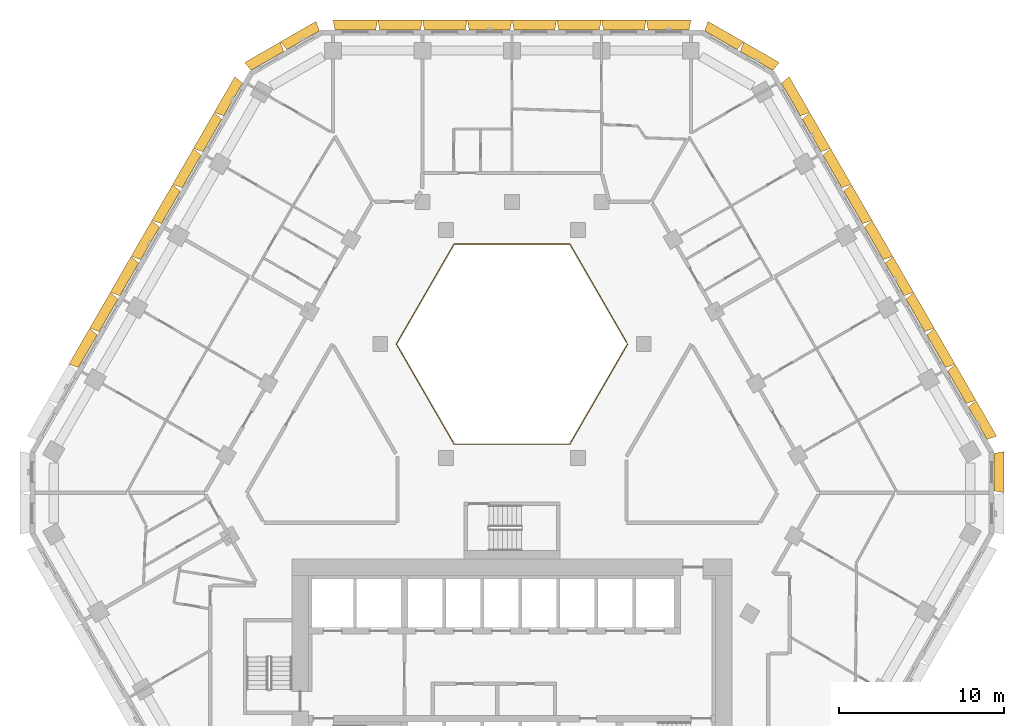
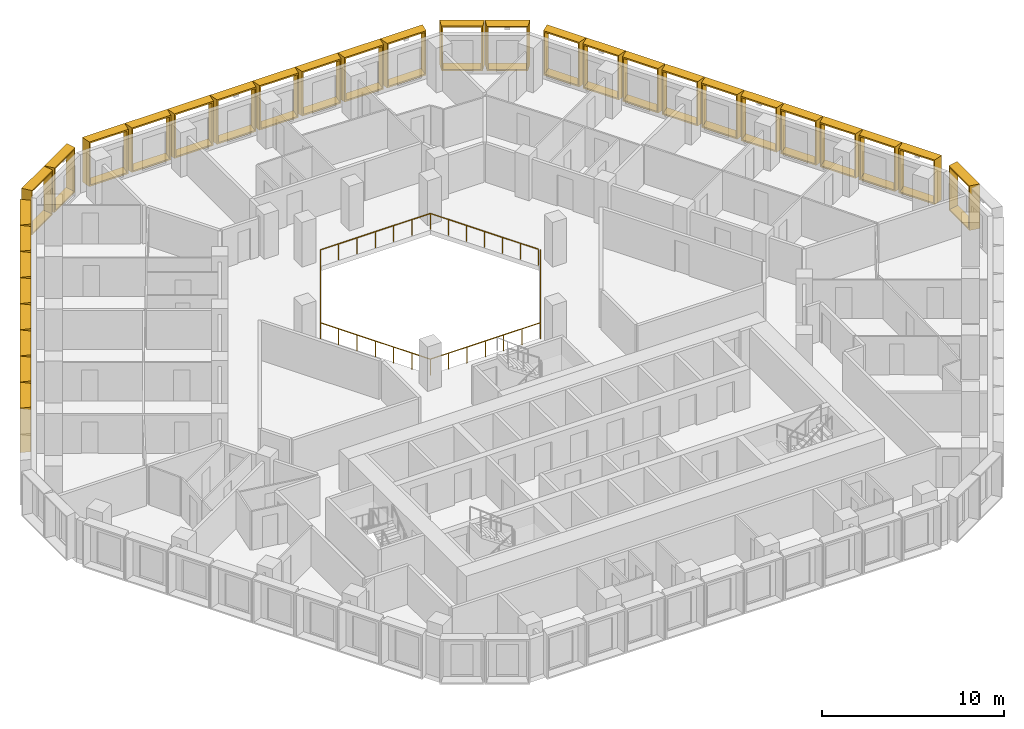
# One storey, part 18 of 18: 31 shading devices, 1 railing.
"""IFC4 building model written with IfcOpenShell, lengths in metres."""

from ifc_helpers import new_model, entity, si_unit, direction, frame, origin, origin_2d, place, context, subcontext, project, spatial, rectangle, extrude, source, transform, mapped, material, type_object, type_shapes, element, save


model = new_model("IFC4")

# Units and contexts
model_context = context("Model", 3, precision=1e-05, world=origin(), true_north=direction((0.0, 1.0)))
body_context = subcontext(model_context, "Body", "Model", "MODEL_VIEW")
ifc_project = project(units=[si_unit("LENGTHUNIT", "METRE"), si_unit("AREAUNIT", "SQUARE_METRE"), si_unit("VOLUMEUNIT", "CUBIC_METRE"), si_unit("PLANEANGLEUNIT", "RADIAN"), si_unit("MASSUNIT", "GRAM", prefix="KILO")], contexts=[model_context])

# Site, building, storey
site_placement = place(None, origin())
site = spatial("IfcSite", under=ifc_project, at=site_placement, CompositionType="ELEMENT")
building_placement = place(site_placement, origin())
building = spatial("IfcBuilding", under=site, at=building_placement, Name="Beryl Residences", CompositionType="ELEMENT")
storey_placement = place(building_placement, frame((0.0, 0.0, 105.0)))
storey = spatial("IfcBuildingStorey", under=building, at=storey_placement, Name="L32", CompositionType="ELEMENT", Elevation=105.0)

# Railing
ifc_material_1 = material(Name="Stainless steel balustrade with glass infill", Category="steel")
railing_type = type_object("IfcRailingType", Name="EG1 edge guard 1100 mm", PredefinedType="GUARDRAIL", material=ifc_material_1)
railing_placement = place(storey_placement, frame((6.9970703125, 8.0, 0.0)))
element("IfcRailing", 1, at=railing_placement, inside=storey, type_object=railing_type, Name="L32 atrium guard", PredefinedType="GUARDRAIL", context=body_context, shape_type="SweptSolid", body=[
    extrude(rectangle(XDim=0.048095703125, YDim=0.048095703125, at=origin_2d()), frame((0.0, 0.0, 1.076171875), z_axis=(-0.499921796684, -0.866070549782, 0.0), x_axis=(0.866070549782, -0.499921796684, 0.0)), (0.0, 0.0, 1.0), 6.9970703125),
    extrude(rectangle(XDim=0.048095703125, YDim=0.048095703125, at=origin_2d()), frame((-3.498046875, -6.06005859375, 1.076171875), z_axis=(-1.0, 0.0, 0.0), x_axis=(0.0, -1.0, 0.0)), (0.0, 0.0, 1.0), 6.998046875),
    extrude(rectangle(XDim=0.048095703125, YDim=0.048095703125, at=origin_2d()), frame((-10.49609375, -6.06005859375, 1.076171875), z_axis=(-0.499921796684, 0.866070549782, 0.0), x_axis=(-0.866070549782, -0.499921796684, 0.0)), (0.0, 0.0, 1.0), 6.9970703125),
    extrude(rectangle(XDim=0.048095703125, YDim=0.048095703125, at=origin_2d()), frame((-13.994140625, 0.0, 1.076171875), z_axis=(0.499921796684, 0.866070549782, 0.0), x_axis=(-0.866070549782, 0.499921796684, 0.0)), (0.0, 0.0, 1.0), 6.9970703125),
    extrude(rectangle(XDim=0.048095703125, YDim=0.048095703125, at=origin_2d()), frame((-10.49609375, 6.06005859375, 1.076171875), z_axis=(1.0, 0.0, 0.0), x_axis=(0.0, 1.0, 0.0)), (0.0, 0.0, 1.0), 6.998046875),
    extrude(rectangle(XDim=0.048095703125, YDim=0.048095703125, at=origin_2d()), frame((-3.498046875, 6.06005859375, 1.076171875), z_axis=(0.499919131929, -0.866072087953, 0.0), x_axis=(0.866072087953, 0.499919131929, 0.0)), (0.0, 0.0, 1.0), 6.877197265625),
    extrude(rectangle(XDim=0.0419921875, YDim=0.0419921875, at=origin_2d()), origin(), (0.0, 0.0, 1.0), 1.052001953125),
    extrude(rectangle(XDim=0.0419921875, YDim=0.0419921875, at=origin_2d()), frame((-0.5830078125, -1.010009765625, 0.0)), (0.0, 0.0, 1.0), 1.052001953125),
    extrude(rectangle(XDim=0.0419921875, YDim=0.0419921875, at=origin_2d()), frame((-1.166015625, -2.02001953125, 0.0)), (0.0, 0.0, 1.0), 1.052001953125),
    extrude(rectangle(XDim=0.0419921875, YDim=0.0419921875, at=origin_2d()), frame((-1.7490234375, -3.030029296875, 0.0)), (0.0, 0.0, 1.0), 1.052001953125),
    extrude(rectangle(XDim=0.0419921875, YDim=0.0419921875, at=origin_2d()), frame((-2.33203125, -4.0400390625, 0.0)), (0.0, 0.0, 1.0), 1.052001953125),
    extrude(rectangle(XDim=0.0419921875, YDim=0.0419921875, at=origin_2d()), frame((-2.9150390625, -5.050048828125, 0.0)), (0.0, 0.0, 1.0), 1.052001953125),
    extrude(rectangle(XDim=0.0419921875, YDim=0.0419921875, at=origin_2d()), frame((-3.498046875, -6.06005859375, 0.0)), (0.0, 0.0, 1.0), 1.052001953125),
    extrude(rectangle(XDim=0.0419921875, YDim=0.0419921875, at=origin_2d()), frame((-4.664306640625, -6.06005859375, 0.0)), (0.0, 0.0, 1.0), 1.052001953125),
    extrude(rectangle(XDim=0.0419921875, YDim=0.0419921875, at=origin_2d()), frame((-5.830810546875, -6.06005859375, 0.0)), (0.0, 0.0, 1.0), 1.052001953125),
    extrude(rectangle(XDim=0.0419921875, YDim=0.0419921875, at=origin_2d()), frame((-6.9970703125, -6.06005859375, 0.0)), (0.0, 0.0, 1.0), 1.052001953125),
    extrude(rectangle(XDim=0.0419921875, YDim=0.0419921875, at=origin_2d()), frame((-8.163330078125, -6.06005859375, 0.0)), (0.0, 0.0, 1.0), 1.052001953125),
    extrude(rectangle(XDim=0.0419921875, YDim=0.0419921875, at=origin_2d()), frame((-9.329833984375, -6.06005859375, 0.0)), (0.0, 0.0, 1.0), 1.052001953125),
    extrude(rectangle(XDim=0.0419921875, YDim=0.0419921875, at=origin_2d()), frame((-10.49609375, -6.06005859375, 0.0)), (0.0, 0.0, 1.0), 1.052001953125),
    extrude(rectangle(XDim=0.0419921875, YDim=0.0419921875, at=origin_2d()), frame((-11.0791015625, -5.050048828125, 0.0)), (0.0, 0.0, 1.0), 1.052001953125),
    extrude(rectangle(XDim=0.0419921875, YDim=0.0419921875, at=origin_2d()), frame((-11.662109375, -4.0400390625, 0.0)), (0.0, 0.0, 1.0), 1.052001953125),
    extrude(rectangle(XDim=0.0419921875, YDim=0.0419921875, at=origin_2d()), frame((-12.2451171875, -3.030029296875, 0.0)), (0.0, 0.0, 1.0), 1.052001953125),
    extrude(rectangle(XDim=0.0419921875, YDim=0.0419921875, at=origin_2d()), frame((-12.828125, -2.02001953125, 0.0)), (0.0, 0.0, 1.0), 1.052001953125),
    extrude(rectangle(XDim=0.0419921875, YDim=0.0419921875, at=origin_2d()), frame((-13.4111328125, -1.010009765625, 0.0)), (0.0, 0.0, 1.0), 1.052001953125),
    extrude(rectangle(XDim=0.0419921875, YDim=0.0419921875, at=origin_2d()), frame((-13.994140625, 0.0, 0.0)), (0.0, 0.0, 1.0), 1.052001953125),
    extrude(rectangle(XDim=0.0419921875, YDim=0.0419921875, at=origin_2d()), frame((-13.4111328125, 1.010009765625, 0.0)), (0.0, 0.0, 1.0), 1.052001953125),
    extrude(rectangle(XDim=0.0419921875, YDim=0.0419921875, at=origin_2d()), frame((-12.828125, 2.02001953125, 0.0)), (0.0, 0.0, 1.0), 1.052001953125),
    extrude(rectangle(XDim=0.0419921875, YDim=0.0419921875, at=origin_2d()), frame((-12.2451171875, 3.030029296875, 0.0)), (0.0, 0.0, 1.0), 1.052001953125),
    extrude(rectangle(XDim=0.0419921875, YDim=0.0419921875, at=origin_2d()), frame((-11.662109375, 4.0400390625, 0.0)), (0.0, 0.0, 1.0), 1.052001953125),
    extrude(rectangle(XDim=0.0419921875, YDim=0.0419921875, at=origin_2d()), frame((-11.0791015625, 5.050048828125, 0.0)), (0.0, 0.0, 1.0), 1.052001953125),
    extrude(rectangle(XDim=0.0419921875, YDim=0.0419921875, at=origin_2d()), frame((-10.49609375, 6.06005859375, 0.0)), (0.0, 0.0, 1.0), 1.052001953125),
    extrude(rectangle(XDim=0.0419921875, YDim=0.0419921875, at=origin_2d()), frame((-9.329833984375, 6.06005859375, 0.0)), (0.0, 0.0, 1.0), 1.052001953125),
    extrude(rectangle(XDim=0.0419921875, YDim=0.0419921875, at=origin_2d()), frame((-8.163330078125, 6.06005859375, 0.0)), (0.0, 0.0, 1.0), 1.052001953125),
    extrude(rectangle(XDim=0.0419921875, YDim=0.0419921875, at=origin_2d()), frame((-6.9970703125, 6.06005859375, 0.0)), (0.0, 0.0, 1.0), 1.052001953125),
    extrude(rectangle(XDim=0.0419921875, YDim=0.0419921875, at=origin_2d()), frame((-5.830810546875, 6.06005859375, 0.0)), (0.0, 0.0, 1.0), 1.052001953125),
    extrude(rectangle(XDim=0.0419921875, YDim=0.0419921875, at=origin_2d()), frame((-4.664306640625, 6.06005859375, 0.0)), (0.0, 0.0, 1.0), 1.052001953125),
    extrude(rectangle(XDim=0.0419921875, YDim=0.0419921875, at=origin_2d()), frame((-3.498046875, 6.06005859375, 0.0)), (0.0, 0.0, 1.0), 1.052001953125),
    extrude(rectangle(XDim=0.0419921875, YDim=0.0419921875, at=origin_2d()), frame((-2.925048828125, 5.0673828125, 0.0)), (0.0, 0.0, 1.0), 1.052001953125),
    extrude(rectangle(XDim=0.0419921875, YDim=0.0419921875, at=origin_2d()), frame((-2.35205078125, 4.07470703125, 0.0)), (0.0, 0.0, 1.0), 1.052001953125),
    extrude(rectangle(XDim=0.0419921875, YDim=0.0419921875, at=origin_2d()), frame((-1.779052734375, 3.08203125, 0.0)), (0.0, 0.0, 1.0), 1.052001953125),
    extrude(rectangle(XDim=0.0419921875, YDim=0.0419921875, at=origin_2d()), frame((-1.2060546875, 2.08935546875, 0.0)), (0.0, 0.0, 1.0), 1.052001953125),
    extrude(rectangle(XDim=0.0419921875, YDim=0.0419921875, at=origin_2d()), frame((-0.633056640625, 1.0966796875, 0.0)), (0.0, 0.0, 1.0), 1.052001953125),
    extrude(rectangle(XDim=0.0419921875, YDim=0.0419921875, at=origin_2d()), frame((-0.06005859375, 0.10400390625, 0.0)), (0.0, 0.0, 1.0), 1.052001953125),
])

# Shading devices
ifc_material_2 = material(Name="Aluminium pale anodised", Category="aluminium")
shading_device_type_1 = type_object("IfcShadingDeviceType", Name="FR250-60A OUTER SKIN frame 600 mm deep, splay 10/10 deg, 2500 x 3000 mm cell", PredefinedType="USERDEFINED", material=ifc_material_2)
cartesian_point_1 = entity("IfcCartesianPoint", [-1.134033203125, 0.0])
cartesian_point_2 = entity("IfcCartesianPoint", [-1.052734375, 0.10009765625])
cartesian_point_3 = entity("IfcCartesianPoint", [-1.23974609375, 0.0])
cartesian_point_4 = entity("IfcCartesianPoint", [-1.158447265625, 0.10009765625])
shared_shape_1 = source(origin(), body_context, "Body", "SweptSolid", [
    entity("IfcExtrudedAreaSolidTapered", entity("IfcArbitraryProfileDefWithVoids", "AREA", None, entity("IfcPolyline", [cartesian_point_1, entity("IfcCartesianPoint", [1.134033203125, 0.0]), entity("IfcCartesianPoint", [1.134033203125, 3.0]), entity("IfcCartesianPoint", [-1.134033203125, 3.0]), cartesian_point_1]), [entity("IfcPolyline", [cartesian_point_2, entity("IfcCartesianPoint", [1.052734375, 0.10009765625]), entity("IfcCartesianPoint", [1.052734375, 2.89990234375]), entity("IfcCartesianPoint", [-1.052734375, 2.89990234375]), cartesian_point_2])]), entity("IfcAxis2Placement3D", entity("IfcCartesianPoint", [0.0, 0.0, 0.0]), entity("IfcDirection", [0.0, 1.0, 0.0]), entity("IfcDirection", [-1.0, 0.0, 0.0])), entity("IfcDirection", [0.0, 0.0, 1.0]), 0.60009765625, entity("IfcArbitraryProfileDefWithVoids", "AREA", None, entity("IfcPolyline", [cartesian_point_3, entity("IfcCartesianPoint", [1.23974609375, 0.0]), entity("IfcCartesianPoint", [1.23974609375, 3.0]), entity("IfcCartesianPoint", [-1.23974609375, 3.0]), cartesian_point_3]), [entity("IfcPolyline", [cartesian_point_4, entity("IfcCartesianPoint", [1.158447265625, 0.10009765625]), entity("IfcCartesianPoint", [1.158447265625, 2.89990234375]), entity("IfcCartesianPoint", [-1.158447265625, 2.89990234375]), cartesian_point_4])])),
])
type_shapes(shading_device_type_1, [shared_shape_1])
for number, where, z_axis, x_axis, name in (
    (2, (-12.6298828125, 26.375, 0.0), (0.0, 0.0, 1.0), (0.866025403784, 0.5, 0.0), "FR250-60A frame L32 N-NW 1"),
    (3, (-14.7939453125, 25.125, 0.0), (0.0, 0.0, 1.0), (0.866025403784, 0.5, 0.0), "FR250-60A frame L32 N-NW 2"),
    (4, (29.156982421875, 0.25, 0.0), (0.0, 0.0, 1.0), (0.0, -1.0, 0.0), "FR250-60A frame L32 SE-NE 2"),
    (5, (14.7939453125, 25.125, 0.0), (0.0, 0.0, 1.0), (0.866025403784, -0.5, 0.0), "FR250-60A frame L32 NE-N 1"),
    (6, (12.6298828125, 26.375, 0.0), (0.0, 0.0, 1.0), (0.866025403784, -0.5, 0.0), "FR250-60A frame L32 NE-N 2"),
):
    element("IfcShadingDevice", number, at=place(storey_placement, frame(where, z_axis=z_axis, x_axis=x_axis)), inside=storey, type_object=shading_device_type_1, Name=name, ObjectType="OUTER SKIN", PredefinedType="USERDEFINED", context=body_context, shape_type="MappedRepresentation", body=[
        mapped(shared_shape_1, transform((0.0, 0.0, 0.0))),
    ])
ifc_material_3 = material(Name="Aluminium pale anodised", Category="aluminium")
shading_device_type_2 = type_object("IfcShadingDeviceType", Name="FR251-60A OUTER SKIN frame 600 mm deep, splay 10/10 deg, 2510 x 3000 mm cell", PredefinedType="USERDEFINED", material=ifc_material_3)
cartesian_point_5 = entity("IfcCartesianPoint", [-1.138916015625, 0.0])
cartesian_point_6 = entity("IfcCartesianPoint", [-1.057861328125, 0.10009765625])
cartesian_point_7 = entity("IfcCartesianPoint", [-1.244873046875, 0.0])
cartesian_point_8 = entity("IfcCartesianPoint", [-1.16357421875, 0.10009765625])
shared_shape_2 = source(origin(), body_context, "Body", "SweptSolid", [
    entity("IfcExtrudedAreaSolidTapered", entity("IfcArbitraryProfileDefWithVoids", "AREA", None, entity("IfcPolyline", [cartesian_point_5, entity("IfcCartesianPoint", [1.138916015625, 0.0]), entity("IfcCartesianPoint", [1.138916015625, 3.0]), entity("IfcCartesianPoint", [-1.138916015625, 3.0]), cartesian_point_5]), [entity("IfcPolyline", [cartesian_point_6, entity("IfcCartesianPoint", [1.057861328125, 0.10009765625]), entity("IfcCartesianPoint", [1.057861328125, 2.89990234375]), entity("IfcCartesianPoint", [-1.057861328125, 2.89990234375]), cartesian_point_6])]), entity("IfcAxis2Placement3D", entity("IfcCartesianPoint", [0.0, 0.0, 0.0]), entity("IfcDirection", [0.0, 1.0, 0.0]), entity("IfcDirection", [-1.0, 0.0, 0.0])), entity("IfcDirection", [0.0, 0.0, 1.0]), 0.60009765625, entity("IfcArbitraryProfileDefWithVoids", "AREA", None, entity("IfcPolyline", [cartesian_point_7, entity("IfcCartesianPoint", [1.244873046875, 0.0]), entity("IfcCartesianPoint", [1.244873046875, 3.0]), entity("IfcCartesianPoint", [-1.244873046875, 3.0]), cartesian_point_7]), [entity("IfcPolyline", [cartesian_point_8, entity("IfcCartesianPoint", [1.16357421875, 0.10009765625]), entity("IfcCartesianPoint", [1.16357421875, 2.89990234375]), entity("IfcCartesianPoint", [-1.16357421875, 2.89990234375]), cartesian_point_8])])),
])
type_shapes(shading_device_type_2, [shared_shape_2])
for number, where, z_axis, x_axis, name in (
    (7, (-16.865966796875, 22.7880859375, 0.0), (0.0, 0.0, 1.0), (0.5, 0.866025403784, 0.0), "FR251-60A frame L32 NW 1"),
    (8, (-18.1220703125, 20.613037109375, 0.0), (0.0, 0.0, 1.0), (0.5, 0.866025403784, 0.0), "FR251-60A frame L32 NW 2"),
    (9, (-19.376953125, 18.43798828125, 0.0), (0.0, 0.0, 1.0), (0.5, 0.866025403784, 0.0), "FR251-60A frame L32 NW 3"),
    (10, (-20.633056640625, 16.262939453125, 0.0), (0.0, 0.0, 1.0), (0.5, 0.866025403784, 0.0), "FR251-60A frame L32 NW 4"),
    (11, (-21.888916015625, 14.087890625, 0.0), (0.0, 0.0, 1.0), (0.5, 0.866025403784, 0.0), "FR251-60A frame L32 NW 5"),
    (12, (-23.14501953125, 11.9130859375, 0.0), (0.0, 0.0, 1.0), (0.5, 0.866025403784, 0.0), "FR251-60A frame L32 NW 6"),
    (13, (-24.39990234375, 9.738037109375, 0.0), (0.0, 0.0, 1.0), (0.5, 0.866025403784, 0.0), "FR251-60A frame L32 NW 7"),
    (14, (-25.656005859375, 7.56298828125, 0.0), (0.0, 0.0, 1.0), (0.5, 0.866025403784, 0.0), "FR251-60A frame L32 NW 8"),
    (15, (28.16796875, 3.2119140625, 0.0), (0.0, 0.0, 1.0), (0.5, -0.866025403784, 0.0), "FR251-60A frame L32 NE 1"),
    (16, (26.912109375, 5.386962890625, 0.0), (0.0, 0.0, 1.0), (0.5, -0.866025403784, 0.0), "FR251-60A frame L32 NE 2"),
    (17, (25.656982421875, 7.56201171875, 0.0), (0.0, 0.0, 1.0), (0.5, -0.866025403784, 0.0), "FR251-60A frame L32 NE 3"),
    (18, (24.40087890625, 9.737060546875, 0.0), (0.0, 0.0, 1.0), (0.5, -0.866025403784, 0.0), "FR251-60A frame L32 NE 4"),
    (19, (23.14501953125, 11.912109375, 0.0), (0.0, 0.0, 1.0), (0.5, -0.866025403784, 0.0), "FR251-60A frame L32 NE 5"),
    (20, (21.888916015625, 14.0869140625, 0.0), (0.0, 0.0, 1.0), (0.5, -0.866025403784, 0.0), "FR251-60A frame L32 NE 6"),
    (21, (20.634033203125, 16.261962890625, 0.0), (0.0, 0.0, 1.0), (0.5, -0.866025403784, 0.0), "FR251-60A frame L32 NE 7"),
    (22, (19.3779296875, 18.43701171875, 0.0), (0.0, 0.0, 1.0), (0.5, -0.866025403784, 0.0), "FR251-60A frame L32 NE 8"),
    (23, (18.1220703125, 20.612060546875, 0.0), (0.0, 0.0, 1.0), (0.5, -0.866025403784, 0.0), "FR251-60A frame L32 NE 9"),
    (24, (16.865966796875, 22.787109375, 0.0), (0.0, 0.0, 1.0), (0.5, -0.866025403784, 0.0), "FR251-60A frame L32 NE 10"),
):
    element("IfcShadingDevice", number, at=place(storey_placement, frame(where, z_axis=z_axis, x_axis=x_axis)), inside=storey, type_object=shading_device_type_2, Name=name, ObjectType="OUTER SKIN", PredefinedType="USERDEFINED", context=body_context, shape_type="MappedRepresentation", body=[
        mapped(shared_shape_2, transform((0.0, 0.0, 0.0))),
    ])
ifc_material_4 = material(Name="Aluminium pale anodised", Category="aluminium")
shading_device_type_3 = type_object("IfcShadingDeviceType", Name="FR271-60A OUTER SKIN frame 600 mm deep, splay 10/10 deg, 2710 x 3000 mm cell", PredefinedType="USERDEFINED", material=ifc_material_4)
cartesian_point_9 = entity("IfcCartesianPoint", [-1.239013671875, 0.0])
cartesian_point_10 = entity("IfcCartesianPoint", [-1.15771484375, 0.10009765625])
cartesian_point_11 = entity("IfcCartesianPoint", [-1.3447265625, 0.0])
cartesian_point_12 = entity("IfcCartesianPoint", [-1.263671875, 0.10009765625])
shared_shape_3 = source(origin(), body_context, "Body", "SweptSolid", [
    entity("IfcExtrudedAreaSolidTapered", entity("IfcArbitraryProfileDefWithVoids", "AREA", None, entity("IfcPolyline", [cartesian_point_9, entity("IfcCartesianPoint", [1.239013671875, 0.0]), entity("IfcCartesianPoint", [1.239013671875, 3.0]), entity("IfcCartesianPoint", [-1.239013671875, 3.0]), cartesian_point_9]), [entity("IfcPolyline", [cartesian_point_10, entity("IfcCartesianPoint", [1.15771484375, 0.10009765625]), entity("IfcCartesianPoint", [1.15771484375, 2.89990234375]), entity("IfcCartesianPoint", [-1.15771484375, 2.89990234375]), cartesian_point_10])]), entity("IfcAxis2Placement3D", entity("IfcCartesianPoint", [0.0, 0.0, 0.0]), entity("IfcDirection", [0.0, 1.0, 0.0]), entity("IfcDirection", [-1.0, 0.0, 0.0])), entity("IfcDirection", [0.0, 0.0, 1.0]), 0.60009765625, entity("IfcArbitraryProfileDefWithVoids", "AREA", None, entity("IfcPolyline", [cartesian_point_11, entity("IfcCartesianPoint", [1.3447265625, 0.0]), entity("IfcCartesianPoint", [1.3447265625, 3.0]), entity("IfcCartesianPoint", [-1.3447265625, 3.0]), cartesian_point_11]), [entity("IfcPolyline", [cartesian_point_12, entity("IfcCartesianPoint", [1.263671875, 0.10009765625]), entity("IfcCartesianPoint", [1.263671875, 2.89990234375]), entity("IfcCartesianPoint", [-1.263671875, 2.89990234375]), cartesian_point_12])])),
])
type_shapes(shading_device_type_3, [shared_shape_3])
for number, where, z_axis, x_axis, name in (
    (25, (9.471923828125, 27.0, 0.0), (0.0, 0.0, 1.0), (1.0, 0.0, 0.0), "FR271-60A frame L32 N 1"),
    (26, (6.764892578125, 27.0, 0.0), (0.0, 0.0, 1.0), (1.0, 0.0, 0.0), "FR271-60A frame L32 N 2"),
    (27, (4.05908203125, 27.0, 0.0), (0.0, 0.0, 1.0), (1.0, 0.0, 0.0), "FR271-60A frame L32 N 3"),
    (28, (1.35205078125, 27.0, 0.0), (0.0, 0.0, 1.0), (1.0, 0.0, 0.0), "FR271-60A frame L32 N 4"),
    (29, (-1.35400390625, 27.0, 0.0), (0.0, 0.0, 1.0), (1.0, 0.0, 0.0), "FR271-60A frame L32 N 5"),
    (30, (-4.06103515625, 27.0, 0.0), (0.0, 0.0, 1.0), (1.0, 0.0, 0.0), "FR271-60A frame L32 N 6"),
    (31, (-6.76708984375, 27.0, 0.0), (0.0, 0.0, 1.0), (1.0, 0.0, 0.0), "FR271-60A frame L32 N 7"),
    (32, (-9.47412109375, 27.0, 0.0), (0.0, 0.0, 1.0), (1.0, 0.0, 0.0), "FR271-60A frame L32 N 8"),
):
    element("IfcShadingDevice", number, at=place(storey_placement, frame(where, z_axis=z_axis, x_axis=x_axis)), inside=storey, type_object=shading_device_type_3, Name=name, ObjectType="OUTER SKIN", PredefinedType="USERDEFINED", context=body_context, shape_type="MappedRepresentation", body=[
        mapped(shared_shape_3, transform((0.0, 0.0, 0.0))),
    ])

save(model, "model.ifc")
